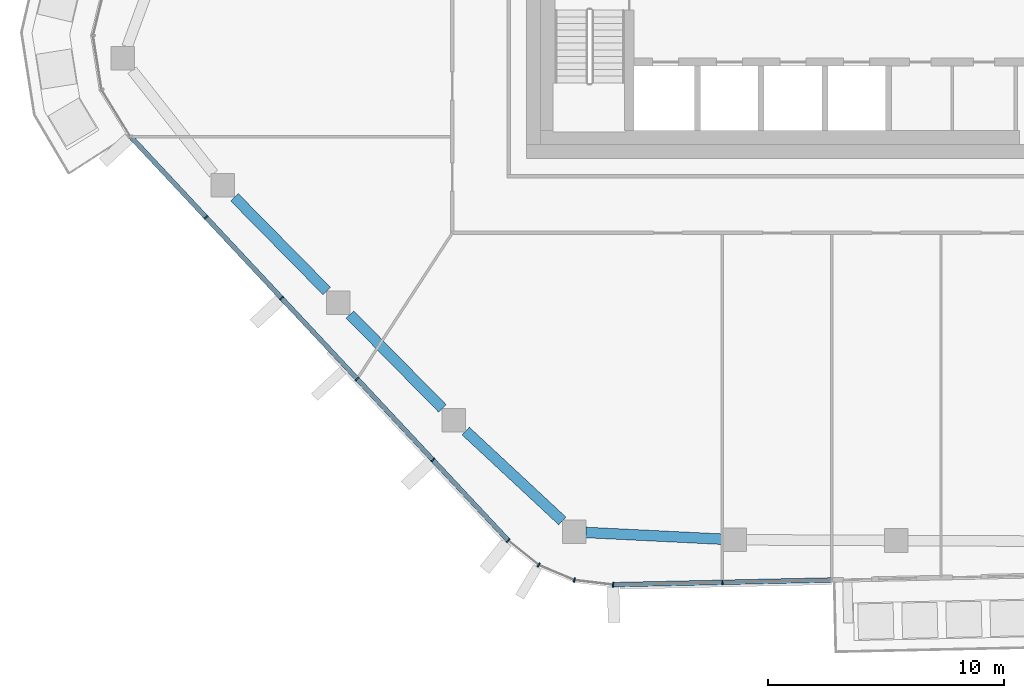
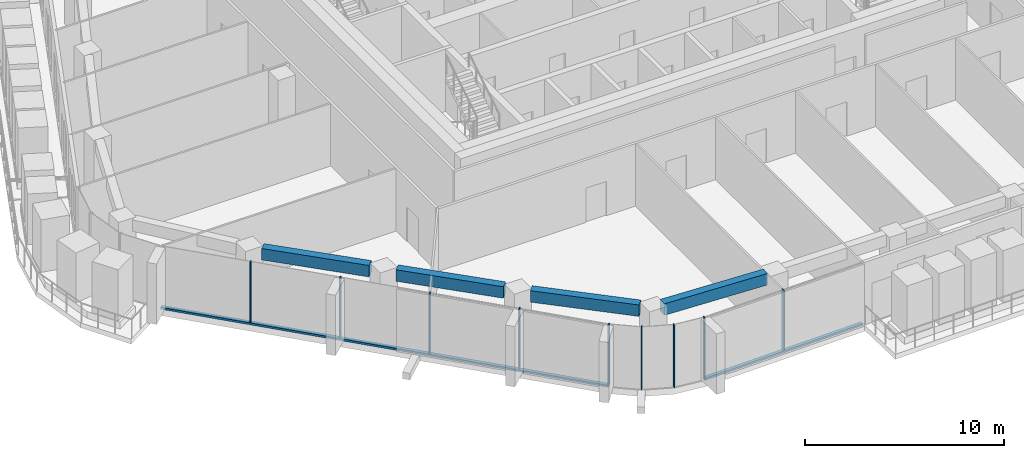
# One storey, part 2 of 23: 11 members, 4 beams, 3 elements without a shape of their own.
"""IFC4 building model written with IfcOpenShell, lengths in metres."""

from ifc_helpers import new_model, si_unit, direction, frame, origin, origin_2d, place, context, subcontext, project, spatial, rectangle, extrude, material, layer, layer_set, material_profile, profile_set, type_object, element, aggregate, save


model = new_model("IFC4")

# Units and contexts
model_context = context("Model", 3, precision=1e-05, world=origin(), true_north=direction((0.0, 1.0)))
body_context = subcontext(model_context, "Body", "Model", "MODEL_VIEW")
ifc_project = project(units=[si_unit("LENGTHUNIT", "METRE"), si_unit("AREAUNIT", "SQUARE_METRE"), si_unit("VOLUMEUNIT", "CUBIC_METRE"), si_unit("PLANEANGLEUNIT", "RADIAN"), si_unit("MASSUNIT", "GRAM", prefix="KILO")], contexts=[model_context])

# Site, building, storey
site_placement = place(None, origin())
site = spatial("IfcSite", under=ifc_project, at=site_placement, CompositionType="ELEMENT")
building_placement = place(site_placement, origin())
building = spatial("IfcBuilding", under=site, at=building_placement, Name="Dongbaek Canopy Tower", CompositionType="ELEMENT")
storey_placement = place(building_placement, frame((0.0, 0.0, 336.199951171875)))
storey = spatial("IfcBuildingStorey", under=building, at=storey_placement, Name="L72", CompositionType="ELEMENT", Elevation=336.199951171875)

# Curtain wall, members
ifc_material_1 = material(Name="Aluminium 6063-T6 pale anodised", Category="aluminium")
ifc_layer = layer(ifc_material_1, 0.199951171875)
ifc_layer_set = layer_set([ifc_layer], Name="CW-1 unitised tower curtain wall")
curtain_wall_type = type_object("IfcCurtainWallType", Name="CW-1 unitised tower curtain wall", PredefinedType="NOTDEFINED", material=ifc_layer_set)
curtain_wall_1_placement = place(storey_placement, origin())
curtain_wall_1 = element("IfcCurtainWall", 1, at=curtain_wall_1_placement, inside=storey, type_object=curtain_wall_type, Name="CW-1 curtain wall F3.1", PredefinedType="NOTDEFINED")
ifc_material_2 = material(Name="Aluminium 6063-T6 pale anodised", Category="aluminium")
ifc_material_profile_1 = material_profile(ifc_material_2, rectangle(XDim=0.199951171875, YDim=0.06005859375, at=origin_2d()), Name="CW-1 mullion 60 x 200")
ifc_profile_set_1 = profile_set([ifc_material_profile_1], Name="Aluminium 6063-T6 pale anodised")
member_type_1 = type_object("IfcMemberType", Name="CW-1 mullion 60 x 200", PredefinedType="MULLION", material=ifc_profile_set_1)
member_1_placement = place(storey_placement, frame((-27.6005859375, -13.486083984375, 0.1201171875), z_axis=(0.0, 0.0, 1.0), x_axis=(-0.730438386022, -0.682978597195, 0.0)))
member_1 = element("IfcMember", 2, at=member_1_placement, type_object=member_type_1, Name="CW-1 mullion F3.1.2", PredefinedType="MULLION", context=body_context, shape_type="SweptSolid", body=[
    extrude(rectangle(XDim=0.199951171875, YDim=0.06005859375, at=origin_2d()), origin(), (0.0, 0.0, 1.0), 3.699951171875),
])
member_2_placement = place(storey_placement, frame((-24.393798828125, -16.915771484375, 0.1201171875), z_axis=(0.0, 0.0, 1.0), x_axis=(-0.730438386022, -0.682978597195, 0.0)))
member_2 = element("IfcMember", 3, at=member_2_placement, type_object=member_type_1, Name="CW-1 mullion F3.1.3", PredefinedType="MULLION", context=body_context, shape_type="SweptSolid", body=[
    extrude(rectangle(XDim=0.199951171875, YDim=0.06005859375, at=origin_2d()), origin(), (0.0, 0.0, 1.0), 3.699951171875),
])
member_3_placement = place(storey_placement, frame((-21.18701171875, -20.345458984375, 0.1201171875), z_axis=(0.0, 0.0, 1.0), x_axis=(-0.730438386022, -0.682978597195, 0.0)))
member_3 = element("IfcMember", 4, at=member_3_placement, type_object=member_type_1, Name="CW-1 mullion F3.1.4", PredefinedType="MULLION", context=body_context, shape_type="SweptSolid", body=[
    extrude(rectangle(XDim=0.199951171875, YDim=0.06005859375, at=origin_2d()), origin(), (0.0, 0.0, 1.0), 3.699951171875),
])
member_4_placement = place(storey_placement, frame((-17.980224609375, -23.775146484375, 0.1201171875), z_axis=(0.0, 0.0, 1.0), x_axis=(-0.730438386022, -0.682978597195, 0.0)))
member_4 = element("IfcMember", 5, at=member_4_placement, type_object=member_type_1, Name="CW-1 mullion F3.1.5", PredefinedType="MULLION", context=body_context, shape_type="SweptSolid", body=[
    extrude(rectangle(XDim=0.199951171875, YDim=0.06005859375, at=origin_2d()), origin(), (0.0, 0.0, 1.0), 3.699951171875),
])
member_5_placement = place(storey_placement, frame((-14.7783203125, -27.19970703125, 0.1201171875), z_axis=(0.0, 0.0, 1.0), x_axis=(-0.730438386022, -0.682978597195, 0.0)))
member_5 = element("IfcMember", 6, at=member_5_placement, type_object=member_type_1, Name="CW-1 mullion F3.1.6", PredefinedType="MULLION", context=body_context, shape_type="SweptSolid", body=[
    extrude(rectangle(XDim=0.199951171875, YDim=0.06005859375, at=origin_2d()), origin(), (0.0, 0.0, 1.0), 3.699951171875),
])

curtain_wall_2_placement = place(storey_placement, origin())
curtain_wall_2 = element("IfcCurtainWall", 7, at=curtain_wall_2_placement, inside=storey, type_object=curtain_wall_type, Name="CW-1 curtain wall K4.1", PredefinedType="NOTDEFINED")
member_6_placement = place(storey_placement, frame((-13.490478515625, -28.238525390625, 0.0), z_axis=(0.0, 0.0, 1.0), x_axis=(-0.513063359077, -0.858350738086, 0.0)))
member_6 = element("IfcMember", 8, at=member_6_placement, type_object=member_type_1, Name="CW-1 mullion K4.1.2", PredefinedType="MULLION", context=body_context, shape_type="SweptSolid", body=[
    extrude(rectangle(XDim=0.199951171875, YDim=0.06005859375, at=origin_2d()), origin(), (0.0, 0.0, 1.0), 3.820068359375),
])
member_7_placement = place(storey_placement, frame((-11.971923828125, -28.878173828125, 0.0), z_axis=(0.0, 0.0, 1.0), x_axis=(-0.255665649821, -0.966765263909, 0.0)))
member_7 = element("IfcMember", 9, at=member_7_placement, type_object=member_type_1, Name="CW-1 mullion K4.1.3", PredefinedType="MULLION", context=body_context, shape_type="SweptSolid", body=[
    extrude(rectangle(XDim=0.199951171875, YDim=0.06005859375, at=origin_2d()), origin(), (0.0, 0.0, 1.0), 3.820068359375),
])
member_8_placement = place(storey_placement, frame((-10.328857421875, -29.07373046875, 0.0), z_axis=(0.0, 0.0, 1.0), x_axis=(-0.118152671581, -0.992995441177, 0.0)))
member_8 = element("IfcMember", 10, at=member_8_placement, type_object=member_type_1, Name="CW-1 mullion K4.1.4", PredefinedType="MULLION", context=body_context, shape_type="SweptSolid", body=[
    extrude(rectangle(XDim=0.199951171875, YDim=0.06005859375, at=origin_2d()), origin(), (0.0, 0.0, 1.0), 3.820068359375),
])
aggregate(curtain_wall_2, [member_6, member_7, member_8])

# Curtain wall, member
curtain_wall_3_placement = place(storey_placement, origin())
curtain_wall_3 = element("IfcCurtainWall", 11, at=curtain_wall_3_placement, inside=storey, type_object=curtain_wall_type, Name="CW-1 curtain wall F4.1", PredefinedType="NOTDEFINED")
member_9_placement = place(storey_placement, frame((-5.698486328125, -28.97314453125, 0.1201171875), z_axis=(0.0, 0.0, 1.0), x_axis=(0.021675843976, -0.999765051294, 0.0)))
member_9 = element("IfcMember", 12, at=member_9_placement, type_object=member_type_1, Name="CW-1 mullion F4.1.2", PredefinedType="MULLION", context=body_context, shape_type="SweptSolid", body=[
    extrude(rectangle(XDim=0.199951171875, YDim=0.06005859375, at=origin_2d()), origin(), (0.0, 0.0, 1.0), 3.699951171875),
])

# Member
ifc_material_3 = material(Name="Aluminium 6063-T6 pale anodised", Category="aluminium")
ifc_material_profile_2 = material_profile(ifc_material_3, rectangle(XDim=0.199951171875, YDim=0.1201171875, at=origin_2d()), Name="CW-1 transom 120 x 200")
ifc_profile_set_2 = profile_set([ifc_material_profile_2], Name="Aluminium 6063-T6 pale anodised")
member_type_2 = type_object("IfcMemberType", Name="CW-1 transom 120 x 200", PredefinedType="USERDEFINED", material=ifc_profile_set_2)
member_10_placement = place(storey_placement, frame((-30.800537109375, -10.063720703125, 0.06005859375), z_axis=(0.682970198952, -0.730446238503, 0.0), x_axis=(0.730446238503, 0.682970198952, 0.0)))
member_10 = element("IfcMember", 13, at=member_10_placement, type_object=member_type_2, Name="CW-1 transom F3.1.1", ObjectType="TRANSOM", PredefinedType="USERDEFINED", context=body_context, shape_type="SweptSolid", body=[
    extrude(rectangle(XDim=0.199951171875, YDim=0.1201171875, at=origin_2d()), origin(), (0.0, 0.0, 1.0), 23.459716796875),
])

aggregate(curtain_wall_1, [member_1, member_2, member_3, member_4, member_5, member_10])

member_11_placement = place(storey_placement, frame((-10.328857421875, -29.07373046875, 0.06005859375), z_axis=(0.999765068463, 0.021675052063, 0.0), x_axis=(-0.021675052063, 0.999765068463, 0.0)))
member_11 = element("IfcMember", 14, at=member_11_placement, type_object=member_type_2, Name="CW-1 transom F4.1.1", ObjectType="TRANSOM", PredefinedType="USERDEFINED", context=body_context, shape_type="SweptSolid", body=[
    extrude(rectangle(XDim=0.199951171875, YDim=0.1201171875, at=origin_2d()), origin(), (0.0, 0.0, 1.0), 9.27001953125),
])

aggregate(curtain_wall_3, [member_9, member_11])

# Beams
ifc_material_4 = material(Name="Concrete C60", Category="concrete")
ifc_material_profile_3 = material_profile(ifc_material_4, rectangle(XDim=0.449951171875, YDim=0.699951171875, at=origin_2d()), Name="RC EDGE BEAM 450x700 C60")
ifc_profile_set_3 = profile_set([ifc_material_profile_3], Name="Concrete C60")
beam_type = type_object("IfcBeamType", Name="RC EDGE BEAM 450x700 C60", PredefinedType="BEAM", material=ifc_profile_set_3)
beam_1_placement = place(storey_placement, frame((-5.666015625, -27.142333984375, 3.469970703125), z_axis=(-0.998789160621, 0.049195656579, 0.0), x_axis=(-0.049195656579, -0.998789160621, 0.0)))
element("IfcBeam", 15, at=beam_1_placement, inside=storey, type_object=beam_type, Name="EDGEBEAM:L72:03", PredefinedType="BEAM", context=body_context, shape_type="SweptSolid", body=[
    extrude(rectangle(XDim=0.449951171875, YDim=0.699951171875, at=origin_2d()), origin(), (0.0, 0.0, 1.0), 5.826171875),
])
beam_2_placement = place(storey_placement, frame((-12.485107421875, -26.365966796875, 3.469970703125), z_axis=(-0.732266655485, 0.681018021248, 0.0), x_axis=(-0.681018021248, -0.732266655485, 0.0)))
element("IfcBeam", 16, at=beam_2_placement, inside=storey, type_object=beam_type, Name="EDGEBEAM:L72:04", PredefinedType="BEAM", context=body_context, shape_type="SweptSolid", body=[
    extrude(rectangle(XDim=0.449951171875, YDim=0.699951171875, at=origin_2d()), origin(), (0.0, 0.0, 1.0), 5.597412109375),
])
beam_3_placement = place(storey_placement, frame((-17.576416015625, -21.589111328125, 3.469970703125), z_axis=(-0.701706740597, 0.712465894062, 0.0), x_axis=(-0.712465894062, -0.701706740597, 0.0)))
element("IfcBeam", 17, at=beam_3_placement, inside=storey, type_object=beam_type, Name="EDGEBEAM:L72:05", PredefinedType="BEAM", context=body_context, shape_type="SweptSolid", body=[
    extrude(rectangle(XDim=0.449951171875, YDim=0.699951171875, at=origin_2d()), origin(), (0.0, 0.0, 1.0), 5.58203125),
])
beam_4_placement = place(storey_placement, frame((-22.478515625, -16.612060546875, 3.469970703125), z_axis=(-0.701708081315, 0.712464573588, 0.0), x_axis=(-0.712464573588, -0.701708081315, 0.0)))
element("IfcBeam", 18, at=beam_4_placement, inside=storey, type_object=beam_type, Name="EDGEBEAM:L72:06", PredefinedType="BEAM", context=body_context, shape_type="SweptSolid", body=[
    extrude(rectangle(XDim=0.449951171875, YDim=0.699951171875, at=origin_2d()), origin(), (0.0, 0.0, 1.0), 5.58349609375),
])

save(model, "model.ifc")
